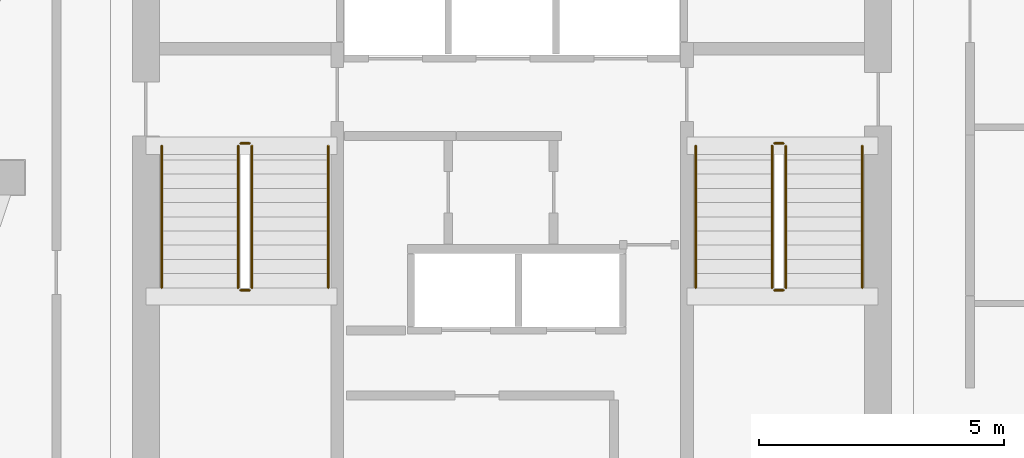
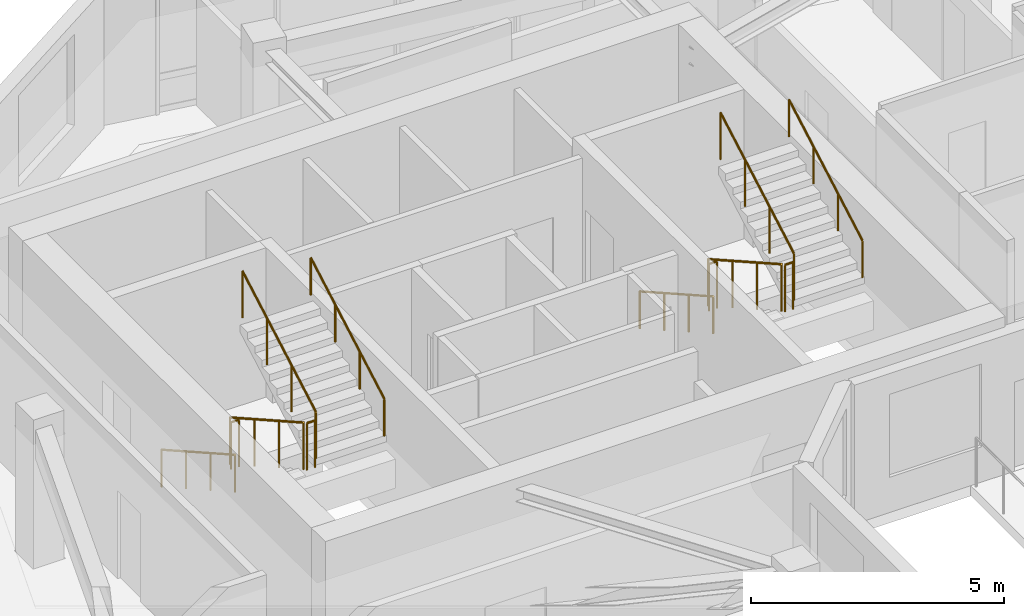
# One storey, part 7 of 7: 12 railings.
"""IFC4 building model written with IfcOpenShell, lengths in metres."""

from ifc_helpers import new_model, si_unit, direction, frame, origin, origin_2d, place, context, subcontext, project, spatial, circle, extrude, material, type_object, element, save


model = new_model("IFC4")

# Units and contexts
model_context = context("Model", 3, precision=1e-05, world=origin(), true_north=direction((0.0, 1.0)))
body_context = subcontext(model_context, "Body", "Model", "MODEL_VIEW")
ifc_project = project(units=[si_unit("LENGTHUNIT", "METRE"), si_unit("AREAUNIT", "SQUARE_METRE"), si_unit("VOLUMEUNIT", "CUBIC_METRE"), si_unit("PLANEANGLEUNIT", "RADIAN"), si_unit("MASSUNIT", "GRAM", prefix="KILO")], contexts=[model_context])

# Site, building, storey
site_placement = place(None, origin())
site = spatial("IfcSite", under=ifc_project, at=site_placement, CompositionType="ELEMENT")
building_placement = place(site_placement, origin())
building = spatial("IfcBuilding", under=site, at=building_placement, Name="Calvemar Wedge Station Tower", CompositionType="ELEMENT")
storey_placement = place(building_placement, frame((0.0, 0.0, 278.10009765625)))
storey = spatial("IfcBuildingStorey", under=building, at=storey_placement, Name="L71", CompositionType="ELEMENT", Elevation=278.10009765625)

# Railings
ifc_material_1 = material(Name="Stainless steel AISI 316L", Category="steel")
railing_type_1 = type_object("IfcRailingType", Name="RL-HANDRAIL-920", PredefinedType="HANDRAIL", material=ifc_material_1)
railing_1_placement = place(storey_placement, frame((16.64990234375, 41.14990234375, 0.16357421875)))
element("IfcRailing", 1, at=railing_1_placement, inside=storey, type_object=railing_type_1, Name="L71 ST-C1 stair handrail 1", PredefinedType="HANDRAIL", context=body_context, shape_type="SweptSolid", body=[
    extrude(circle(Radius=0.02392578125, at=origin_2d()), frame((0.0, 0.0, 0.89599609375), z_axis=(0.0, -0.870928581787, 0.491409610636), x_axis=(1.0, 0.0, 0.0)), (0.0, 0.0, 1.0), 3.32958984375),
    extrude(circle(Radius=0.02099609375, at=origin_2d()), origin(), (0.0, 0.0, 1.0), 0.871826171875),
    extrude(circle(Radius=0.02099609375, at=origin_2d()), frame((0.0, -0.966552734375, 0.54541015625)), (0.0, 0.0, 1.0), 0.871826171875),
    extrude(circle(Radius=0.02099609375, at=origin_2d()), frame((0.0, -1.933349609375, 1.0908203125)), (0.0, 0.0, 1.0), 0.871826171875),
    extrude(circle(Radius=0.02099609375, at=origin_2d()), frame((0.0, -2.89990234375, 1.63623046875)), (0.0, 0.0, 1.0), 0.871826171875),
])
railing_2_placement = place(storey_placement, frame((20.050048828125, 38.25, 1.963623046875)))
element("IfcRailing", 2, at=railing_2_placement, inside=storey, type_object=railing_type_1, Name="L71 ST-C1 stair handrail 2", PredefinedType="HANDRAIL", context=body_context, shape_type="SweptSolid", body=[
    extrude(circle(Radius=0.02392578125, at=origin_2d()), frame((0.0, 0.0, 0.89599609375), z_axis=(0.0, 0.870928581787, 0.491409610636), x_axis=(-1.0, 0.0, 0.0)), (0.0, 0.0, 1.0), 3.32958984375),
    extrude(circle(Radius=0.02099609375, at=origin_2d()), origin(), (0.0, 0.0, 1.0), 0.871826171875),
    extrude(circle(Radius=0.02099609375, at=origin_2d()), frame((0.0, 0.966552734375, 0.54541015625)), (0.0, 0.0, 1.0), 0.871826171875),
    extrude(circle(Radius=0.02099609375, at=origin_2d()), frame((0.0, 1.933349609375, 1.0908203125)), (0.0, 0.0, 1.0), 0.871826171875),
    extrude(circle(Radius=0.02099609375, at=origin_2d()), frame((0.0, 2.89990234375, 1.63623046875)), (0.0, 0.0, 1.0), 0.871826171875),
])
railing_3_placement = place(storey_placement, frame((27.550048828125, 41.14990234375, 0.16357421875)))
element("IfcRailing", 3, at=railing_3_placement, inside=storey, type_object=railing_type_1, Name="L71 ST-C2 stair handrail 1", PredefinedType="HANDRAIL", context=body_context, shape_type="SweptSolid", body=[
    extrude(circle(Radius=0.02392578125, at=origin_2d()), frame((0.0, 0.0, 0.89599609375), z_axis=(0.0, -0.870928581787, 0.491409610636), x_axis=(1.0, 0.0, 0.0)), (0.0, 0.0, 1.0), 3.32958984375),
    extrude(circle(Radius=0.02099609375, at=origin_2d()), origin(), (0.0, 0.0, 1.0), 0.871826171875),
    extrude(circle(Radius=0.02099609375, at=origin_2d()), frame((0.0, -0.966552734375, 0.54541015625)), (0.0, 0.0, 1.0), 0.871826171875),
    extrude(circle(Radius=0.02099609375, at=origin_2d()), frame((0.0, -1.933349609375, 1.0908203125)), (0.0, 0.0, 1.0), 0.871826171875),
    extrude(circle(Radius=0.02099609375, at=origin_2d()), frame((0.0, -2.89990234375, 1.63623046875)), (0.0, 0.0, 1.0), 0.871826171875),
])
railing_4_placement = place(storey_placement, frame((30.949951171875, 38.25, 1.963623046875)))
element("IfcRailing", 4, at=railing_4_placement, inside=storey, type_object=railing_type_1, Name="L71 ST-C2 stair handrail 2", PredefinedType="HANDRAIL", context=body_context, shape_type="SweptSolid", body=[
    extrude(circle(Radius=0.02392578125, at=origin_2d()), frame((0.0, 0.0, 0.89599609375), z_axis=(0.0, 0.870928581787, 0.491409610636), x_axis=(-1.0, 0.0, 0.0)), (0.0, 0.0, 1.0), 3.32958984375),
    extrude(circle(Radius=0.02099609375, at=origin_2d()), origin(), (0.0, 0.0, 1.0), 0.871826171875),
    extrude(circle(Radius=0.02099609375, at=origin_2d()), frame((0.0, 0.966552734375, 0.54541015625)), (0.0, 0.0, 1.0), 0.871826171875),
    extrude(circle(Radius=0.02099609375, at=origin_2d()), frame((0.0, 1.933349609375, 1.0908203125)), (0.0, 0.0, 1.0), 0.871826171875),
    extrude(circle(Radius=0.02099609375, at=origin_2d()), frame((0.0, 2.89990234375, 1.63623046875)), (0.0, 0.0, 1.0), 0.871826171875),
])
ifc_material_2 = material(Name="Painted steel guardrail ASTM A500 Grade C", Category="steel")
railing_type_2 = type_object("IfcRailingType", Name="RL-STAIR-GUARD-1150", PredefinedType="GUARDRAIL", material=ifc_material_2)
railing_5_placement = place(storey_placement, frame((18.2099609375, 41.14990234375, 0.16357421875)))
element("IfcRailing", 5, at=railing_5_placement, inside=storey, type_object=railing_type_2, Name="L71 ST-C1 stair guard 1", PredefinedType="GUARDRAIL", context=body_context, shape_type="SweptSolid", body=[
    extrude(circle(Radius=0.02392578125, at=origin_2d()), frame((0.0, 0.0, 1.1259765625), z_axis=(0.0, -0.870928581787, 0.491409610636), x_axis=(1.0, 0.0, 0.0)), (0.0, 0.0, 1.0), 3.32958984375),
    extrude(circle(Radius=0.02099609375, at=origin_2d()), origin(), (0.0, 0.0, 1.0), 1.101806640625),
    extrude(circle(Radius=0.02099609375, at=origin_2d()), frame((0.0, -0.966552734375, 0.54541015625)), (0.0, 0.0, 1.0), 1.101806640625),
    extrude(circle(Radius=0.02099609375, at=origin_2d()), frame((0.0, -1.933349609375, 1.0908203125)), (0.0, 0.0, 1.0), 1.101806640625),
    extrude(circle(Radius=0.02099609375, at=origin_2d()), frame((0.0, -2.89990234375, 1.63623046875)), (0.0, 0.0, 1.0), 1.101806640625),
])
railing_6_placement = place(storey_placement, frame((18.260009765625, 38.199951171875, 1.7998046875)))
element("IfcRailing", 6, at=railing_6_placement, inside=storey, type_object=railing_type_2, Name="L71 ST-C1 stair guard 2", PredefinedType="GUARDRAIL", context=body_context, shape_type="SweptSolid", body=[
    extrude(circle(Radius=0.02392578125, at=origin_2d()), frame((0.0, 0.0, 1.1259765625), z_axis=(1.0, 0.0, 0.0), x_axis=(0.0, 1.0, 0.0)), (0.0, 0.0, 1.0), 0.179931640625),
    extrude(circle(Radius=0.02099609375, at=origin_2d()), origin(), (0.0, 0.0, 1.0), 1.101806640625),
    extrude(circle(Radius=0.02099609375, at=origin_2d()), frame((0.179931640625, 0.0, 0.0)), (0.0, 0.0, 1.0), 1.101806640625),
])
railing_7_placement = place(storey_placement, frame((18.489990234375, 38.25, 1.963623046875)))
element("IfcRailing", 7, at=railing_7_placement, inside=storey, type_object=railing_type_2, Name="L71 ST-C1 stair guard 3", PredefinedType="GUARDRAIL", context=body_context, shape_type="SweptSolid", body=[
    extrude(circle(Radius=0.02392578125, at=origin_2d()), frame((0.0, 0.0, 1.1259765625), z_axis=(0.0, 0.870928581787, 0.491409610636), x_axis=(-1.0, 0.0, 0.0)), (0.0, 0.0, 1.0), 3.32958984375),
    extrude(circle(Radius=0.02099609375, at=origin_2d()), origin(), (0.0, 0.0, 1.0), 1.101806640625),
    extrude(circle(Radius=0.02099609375, at=origin_2d()), frame((0.0, 0.966552734375, 0.54541015625)), (0.0, 0.0, 1.0), 1.101806640625),
    extrude(circle(Radius=0.02099609375, at=origin_2d()), frame((0.0, 1.933349609375, 1.0908203125)), (0.0, 0.0, 1.0), 1.101806640625),
    extrude(circle(Radius=0.02099609375, at=origin_2d()), frame((0.0, 2.89990234375, 1.63623046875)), (0.0, 0.0, 1.0), 1.101806640625),
])
railing_8_placement = place(storey_placement, frame((18.260009765625, 41.199951171875, 0.0)))
element("IfcRailing", 8, at=railing_8_placement, inside=storey, type_object=railing_type_2, Name="L71 ST-C1 stair guard 4", PredefinedType="GUARDRAIL", context=body_context, shape_type="SweptSolid", body=[
    extrude(circle(Radius=0.02392578125, at=origin_2d()), frame((0.0, 0.0, 1.1259765625), z_axis=(1.0, 0.0, 0.0), x_axis=(0.0, 1.0, 0.0)), (0.0, 0.0, 1.0), 0.179931640625),
    extrude(circle(Radius=0.02099609375, at=origin_2d()), origin(), (0.0, 0.0, 1.0), 1.101806640625),
    extrude(circle(Radius=0.02099609375, at=origin_2d()), frame((0.179931640625, 0.0, 0.0)), (0.0, 0.0, 1.0), 1.101806640625),
])
railing_9_placement = place(storey_placement, frame((29.110107421875, 41.14990234375, 0.16357421875)))
element("IfcRailing", 9, at=railing_9_placement, inside=storey, type_object=railing_type_2, Name="L71 ST-C2 stair guard 1", PredefinedType="GUARDRAIL", context=body_context, shape_type="SweptSolid", body=[
    extrude(circle(Radius=0.02392578125, at=origin_2d()), frame((0.0, 0.0, 1.1259765625), z_axis=(0.0, -0.870928581787, 0.491409610636), x_axis=(1.0, 0.0, 0.0)), (0.0, 0.0, 1.0), 3.32958984375),
    extrude(circle(Radius=0.02099609375, at=origin_2d()), origin(), (0.0, 0.0, 1.0), 1.101806640625),
    extrude(circle(Radius=0.02099609375, at=origin_2d()), frame((0.0, -0.966552734375, 0.54541015625)), (0.0, 0.0, 1.0), 1.101806640625),
    extrude(circle(Radius=0.02099609375, at=origin_2d()), frame((0.0, -1.933349609375, 1.0908203125)), (0.0, 0.0, 1.0), 1.101806640625),
    extrude(circle(Radius=0.02099609375, at=origin_2d()), frame((0.0, -2.89990234375, 1.63623046875)), (0.0, 0.0, 1.0), 1.101806640625),
])
railing_10_placement = place(storey_placement, frame((29.159912109375, 38.199951171875, 1.7998046875)))
element("IfcRailing", 10, at=railing_10_placement, inside=storey, type_object=railing_type_2, Name="L71 ST-C2 stair guard 2", PredefinedType="GUARDRAIL", context=body_context, shape_type="SweptSolid", body=[
    extrude(circle(Radius=0.02392578125, at=origin_2d()), frame((0.0, 0.0, 1.1259765625), z_axis=(1.0, 0.0, 0.0), x_axis=(0.0, 1.0, 0.0)), (0.0, 0.0, 1.0), 0.18017578125),
    extrude(circle(Radius=0.02099609375, at=origin_2d()), origin(), (0.0, 0.0, 1.0), 1.101806640625),
    extrude(circle(Radius=0.02099609375, at=origin_2d()), frame((0.18017578125, 0.0, 0.0)), (0.0, 0.0, 1.0), 1.101806640625),
])
railing_11_placement = place(storey_placement, frame((29.389892578125, 38.25, 1.963623046875)))
element("IfcRailing", 11, at=railing_11_placement, inside=storey, type_object=railing_type_2, Name="L71 ST-C2 stair guard 3", PredefinedType="GUARDRAIL", context=body_context, shape_type="SweptSolid", body=[
    extrude(circle(Radius=0.02392578125, at=origin_2d()), frame((0.0, 0.0, 1.1259765625), z_axis=(0.0, 0.870928581787, 0.491409610636), x_axis=(-1.0, 0.0, 0.0)), (0.0, 0.0, 1.0), 3.32958984375),
    extrude(circle(Radius=0.02099609375, at=origin_2d()), origin(), (0.0, 0.0, 1.0), 1.101806640625),
    extrude(circle(Radius=0.02099609375, at=origin_2d()), frame((0.0, 0.966552734375, 0.54541015625)), (0.0, 0.0, 1.0), 1.101806640625),
    extrude(circle(Radius=0.02099609375, at=origin_2d()), frame((0.0, 1.933349609375, 1.0908203125)), (0.0, 0.0, 1.0), 1.101806640625),
    extrude(circle(Radius=0.02099609375, at=origin_2d()), frame((0.0, 2.89990234375, 1.63623046875)), (0.0, 0.0, 1.0), 1.101806640625),
])
railing_12_placement = place(storey_placement, frame((29.159912109375, 41.199951171875, 0.0)))
element("IfcRailing", 12, at=railing_12_placement, inside=storey, type_object=railing_type_2, Name="L71 ST-C2 stair guard 4", PredefinedType="GUARDRAIL", context=body_context, shape_type="SweptSolid", body=[
    extrude(circle(Radius=0.02392578125, at=origin_2d()), frame((0.0, 0.0, 1.1259765625), z_axis=(1.0, 0.0, 0.0), x_axis=(0.0, 1.0, 0.0)), (0.0, 0.0, 1.0), 0.18017578125),
    extrude(circle(Radius=0.02099609375, at=origin_2d()), origin(), (0.0, 0.0, 1.0), 1.101806640625),
    extrude(circle(Radius=0.02099609375, at=origin_2d()), frame((0.18017578125, 0.0, 0.0)), (0.0, 0.0, 1.0), 1.101806640625),
])

save(model, "model.ifc")
